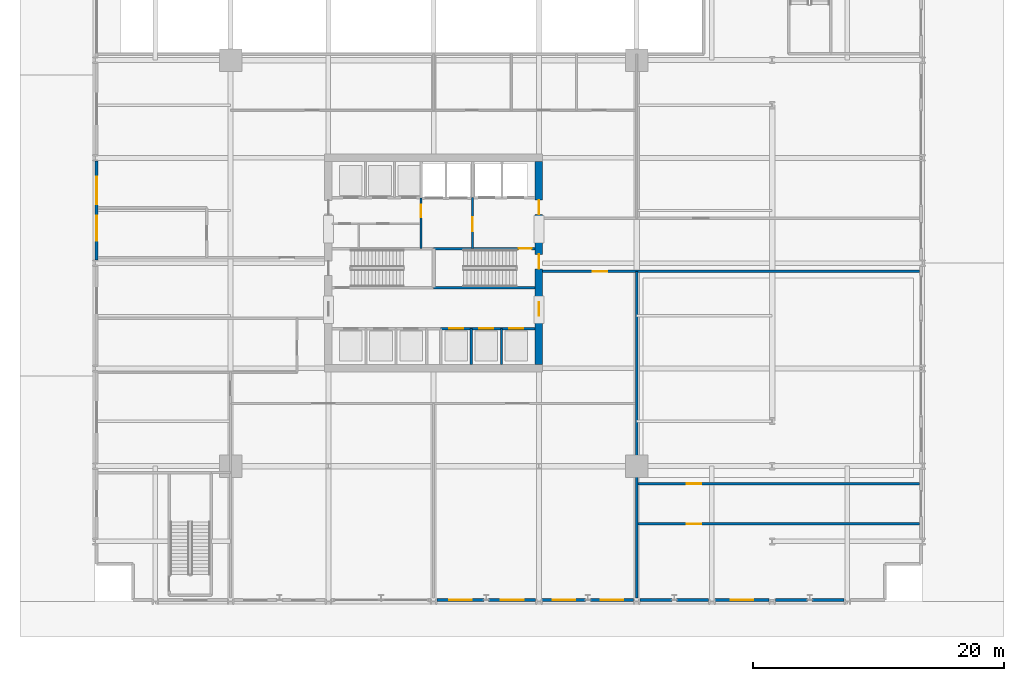
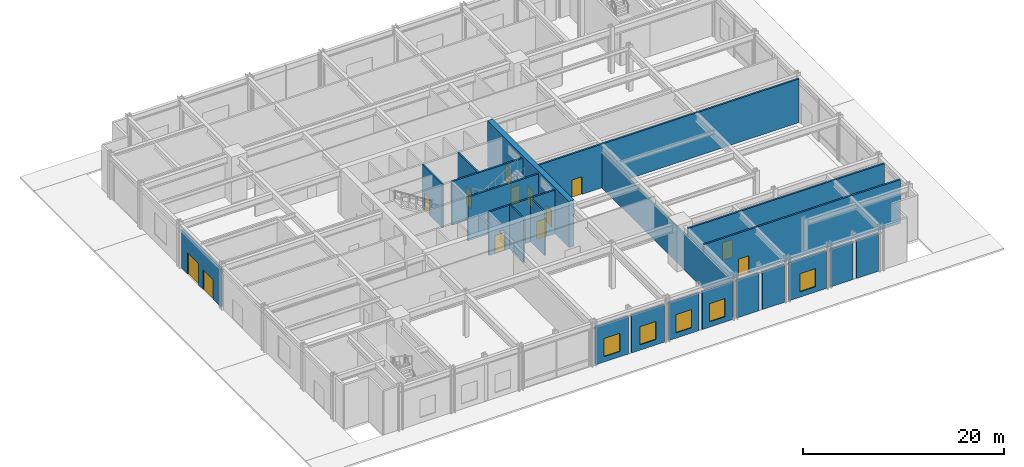
# One storey, part 12 of 21: 22 walls, 14 doors, 5 windows, 19 openings.
"""IFC4 building model written with IfcOpenShell, lengths in metres."""

from ifc_helpers import new_model, si_unit, direction, frame, frame_2d, origin, place, context, subcontext, project, spatial, rectangle, extrude, material, layer, layer_set, type_object, element, fill, save


model = new_model("IFC4")

# Units and contexts
model_context = context("Model", 3, precision=1e-05, world=origin(), true_north=direction((0.0, 1.0)))
body_context = subcontext(model_context, "Body", "Model", "MODEL_VIEW")
ifc_project = project(units=[si_unit("LENGTHUNIT", "METRE"), si_unit("AREAUNIT", "SQUARE_METRE"), si_unit("VOLUMEUNIT", "CUBIC_METRE"), si_unit("PLANEANGLEUNIT", "RADIAN"), si_unit("MASSUNIT", "GRAM", prefix="KILO")], contexts=[model_context])

# Site, building, storey
site_placement = place(None, origin())
site = spatial("IfcSite", under=ifc_project, at=site_placement, CompositionType="ELEMENT")
building_placement = place(site_placement, origin())
building = spatial("IfcBuilding", under=site, at=building_placement, Name="Drelvath Grand Hotel", CompositionType="ELEMENT")
storey_placement = place(building_placement, origin())
storey = spatial("IfcBuildingStorey", under=building, at=storey_placement, Name="L00", CompositionType="ELEMENT", Elevation=0.0)

# Wall, openings, doors
ifc_material_1 = material(Name="Concrete C40/50", Category="concrete")
ifc_layer_1 = layer(ifc_material_1, 0.199951171875)
ifc_layer_set_1 = layer_set([ifc_layer_1], Name="Concrete C40/50")
wall_type_1 = type_object("IfcWallType", Name="Core Hoistway Fire Wall 200", PredefinedType="SOLIDWALL", material=ifc_layer_set_1)
wall_1_placement = place(storey_placement, frame((8.10009765625, 21.780029296875, 0.0), z_axis=(0.0, 0.0, 1.0), x_axis=(-1.0, 0.0, 0.0)))
wall_1 = element("IfcWall", 1, at=wall_1_placement, inside=storey, type_object=wall_type_1, Name="L00 Bank 2 Hoistway Wall", PredefinedType="SOLIDWALL", context=body_context, shape_type="SweptSolid", body=[
    extrude(rectangle(XDim=7.550048828125, YDim=0.199951171875, at=frame_2d((3.77490234375, 0.0))), origin(), (0.0, 0.0, 1.0), 5.300048828125),
])
opening_1_placement = place(wall_1_placement, frame((5.75, 0.0, 0.0)))
opening_1 = element("IfcOpeningElement", 2, at=opening_1_placement, cuts=wall_1, Name="Opening LD-PE-4", PredefinedType="OPENING", context=body_context, shape_type="SweptSolid", body=[
    extrude(rectangle(XDim=1.10009765625, YDim=2.199951171875, at=frame_2d((0.550048828125, 1.10009765625))), frame((0.0, 0.10986328125, 0.0), z_axis=(0.0, -1.0, 0.0), x_axis=(1.0, 0.0, 0.0)), (0.0, 0.0, 1.0), 0.219970703125),
])
opening_2_placement = place(wall_1_placement, frame((3.35009765625, 0.0, 0.0)))
opening_2 = element("IfcOpeningElement", 3, at=opening_2_placement, cuts=wall_1, Name="Opening LD-PE-5", PredefinedType="OPENING", context=body_context, shape_type="SweptSolid", body=[
    extrude(rectangle(XDim=1.10009765625, YDim=2.199951171875, at=frame_2d((0.550048828125, 1.10009765625))), frame((0.0, 0.10986328125, 0.0), z_axis=(0.0, -1.0, 0.0), x_axis=(1.0, 0.0, 0.0)), (0.0, 0.0, 1.0), 0.219970703125),
])
opening_3_placement = place(wall_1_placement, frame((0.949951171875, 0.0, 0.0)))
opening_3 = element("IfcOpeningElement", 4, at=opening_3_placement, cuts=wall_1, Name="Opening LD-PE-6", PredefinedType="OPENING", context=body_context, shape_type="SweptSolid", body=[
    extrude(rectangle(XDim=1.10009765625, YDim=2.199951171875, at=frame_2d((0.550048828125, 1.10009765625))), frame((0.0, 0.10986328125, 0.0), z_axis=(0.0, -1.0, 0.0), x_axis=(1.0, 0.0, 0.0)), (0.0, 0.0, 1.0), 0.219970703125),
])
ifc_material_2 = material(Name="Stainless Steel S355", Category="steel")
door_type_1 = type_object("IfcDoorType", Name="Passenger Lift Sliding Landing Door 1100x2200", OperationType="NOTDEFINED", PredefinedType="DOOR", material=ifc_material_2)
door_1_placement = place(opening_1_placement, origin())
door_1 = element("IfcDoor", 5, at=door_1_placement, inside=storey, type_object=door_type_1, Name="L00 Lift PE-4 Landing Door", OperationType="SLIDING_TO_LEFT", OverallHeight=2.199951171875, OverallWidth=1.10009765625, PredefinedType="DOOR", context=body_context, shape_type="SweptSolid", body=[
    extrude(rectangle(XDim=1.10009765625, YDim=2.199951171875, at=frame_2d((0.550048828125, 1.10009765625))), frame((0.0, 0.02490234375, 0.0), z_axis=(0.0, -1.0, 0.0), x_axis=(1.0, 0.0, 0.0)), (0.0, 0.0, 1.0), 0.050048828125),
])
fill(opening_1, door_1)
door_2_placement = place(opening_2_placement, origin())
door_2 = element("IfcDoor", 6, at=door_2_placement, inside=storey, type_object=door_type_1, Name="L00 Lift PE-5 Landing Door", OperationType="SLIDING_TO_LEFT", OverallHeight=2.199951171875, OverallWidth=1.10009765625, PredefinedType="DOOR", context=body_context, shape_type="SweptSolid", body=[
    extrude(rectangle(XDim=1.10009765625, YDim=2.199951171875, at=frame_2d((0.550048828125, 1.10009765625))), frame((0.0, 0.02490234375, 0.0), z_axis=(0.0, -1.0, 0.0), x_axis=(1.0, 0.0, 0.0)), (0.0, 0.0, 1.0), 0.050048828125),
])
fill(opening_2, door_2)
door_3_placement = place(opening_3_placement, origin())
door_3 = element("IfcDoor", 7, at=door_3_placement, inside=storey, type_object=door_type_1, Name="L00 Lift PE-6 Landing Door", OperationType="SLIDING_TO_LEFT", OverallHeight=2.199951171875, OverallWidth=1.10009765625, PredefinedType="DOOR", context=body_context, shape_type="SweptSolid", body=[
    extrude(rectangle(XDim=1.10009765625, YDim=2.199951171875, at=frame_2d((0.550048828125, 1.10009765625))), frame((0.0, 0.02490234375, 0.0), z_axis=(0.0, -1.0, 0.0), x_axis=(1.0, 0.0, 0.0)), (0.0, 0.0, 1.0), 0.050048828125),
])
fill(opening_3, door_3)

# Wall
ifc_layer_2 = layer(ifc_material_1, 0.199951171875)
ifc_layer_set_2 = layer_set([ifc_layer_2], Name="Concrete C40/50")
wall_type_2 = type_object("IfcWallType", Name="Core Shaft Fire Wall 200", PredefinedType="SOLIDWALL", material=ifc_layer_set_2)
wall_2_placement = place(storey_placement, frame((0.0, 25.0400390625, 0.0), z_axis=(0.0, 0.0, 1.0), x_axis=(1.0, 0.0, 0.0)))
element("IfcWall", 8, at=wall_2_placement, inside=storey, type_object=wall_type_2, Name="L00 Stair ST-2 South Wall", PredefinedType="SOLIDWALL", context=body_context, shape_type="SweptSolid", body=[
    extrude(rectangle(XDim=8.10009765625, YDim=0.199951171875, at=frame_2d((4.050048828125, 0.0))), origin(), (0.0, 0.0, 1.0), 5.300048828125),
])

# Wall, opening, door
wall_3_placement = place(storey_placement, frame((8.10009765625, 28.159912109375, 0.0), z_axis=(0.0, 0.0, 1.0), x_axis=(-1.0, 0.0, 0.0)))
wall_3 = element("IfcWall", 9, at=wall_3_placement, inside=storey, type_object=wall_type_2, Name="L00 Stair ST-2 North Wall", PredefinedType="SOLIDWALL", context=body_context, shape_type="SweptSolid", body=[
    extrude(rectangle(XDim=8.10009765625, YDim=0.199951171875, at=frame_2d((4.050048828125, 0.0))), origin(), (0.0, 0.0, 1.0), 5.300048828125),
])
opening_4_placement = place(wall_3_placement, frame((0.280029296875, 0.0, 0.0)))
opening_4 = element("IfcOpeningElement", 10, at=opening_4_placement, cuts=wall_3, Name="Opening D-L00-002", PredefinedType="OPENING", context=body_context, shape_type="SweptSolid", body=[
    extrude(rectangle(XDim=1.050048828125, YDim=2.10009765625, at=frame_2d((0.52490234375, 1.050048828125))), frame((0.0, 0.10986328125, 0.0), z_axis=(0.0, -1.0, 0.0), x_axis=(1.0, 0.0, 0.0)), (0.0, 0.0, 1.0), 0.219970703125),
])
ifc_material_3 = material(Name="Painted Steel S275", Category="steel")
door_type_2 = type_object("IfcDoorType", Name="Tower Stairwell Fire Door 1050x2100", OperationType="NOTDEFINED", PredefinedType="DOOR", material=ifc_material_3)
door_4_placement = place(opening_4_placement, origin())
door_4 = element("IfcDoor", 11, at=door_4_placement, inside=storey, type_object=door_type_2, Name="L00 Exit Stair ST-2 Door", OperationType="SINGLE_SWING_LEFT", OverallHeight=2.10009765625, OverallWidth=1.050048828125, PredefinedType="DOOR", context=body_context, shape_type="SweptSolid", body=[
    extrude(rectangle(XDim=1.050048828125, YDim=2.10009765625, at=frame_2d((0.52490234375, 1.050048828125))), frame((0.0, 0.02490234375, 0.0), z_axis=(0.0, -1.0, 0.0), x_axis=(1.0, 0.0, 0.0)), (0.0, 0.0, 1.0), 0.050048828125),
])
fill(opening_4, door_4)

wall_4_placement = place(storey_placement, frame((8.699951171875, 26.35009765625, 0.0), z_axis=(0.0, 0.0, 1.0), x_axis=(1.0, 0.0, 0.0)))
wall_4 = element("IfcWall", 12, at=wall_4_placement, inside=storey, type_object=wall_type_2, Name="L00 East Exit Passage South Wall", PredefinedType="SOLIDWALL", context=body_context, shape_type="SweptSolid", body=[
    extrude(rectangle(XDim=30.06005859375, YDim=0.199951171875, at=frame_2d((15.030029296875, 0.0))), origin(), (0.0, 0.0, 1.0), 5.300048828125),
])
opening_5_placement = place(wall_4_placement, frame((4.0, 0.0, 0.0)))
opening_5 = element("IfcOpeningElement", 13, at=opening_5_placement, cuts=wall_4, Name="Opening D-L00-030", PredefinedType="OPENING", context=body_context, shape_type="SweptSolid", body=[
    extrude(rectangle(XDim=1.14990234375, YDim=2.14990234375, at=frame_2d((0.574951171875, 1.074951171875))), frame((0.0, 0.10986328125, 0.0), z_axis=(0.0, -1.0, 0.0), x_axis=(1.0, 0.0, 0.0)), (0.0, 0.0, 1.0), 0.219970703125),
])
door_type_3 = type_object("IfcDoorType", Name="Podium Stairwell Fire Door 1150x2150", OperationType="NOTDEFINED", PredefinedType="DOOR", material=ifc_material_3)
door_5_placement = place(opening_5_placement, origin())
door_5 = element("IfcDoor", 14, at=door_5_placement, inside=storey, type_object=door_type_3, Name="L00 Atrium to East Exit Passage Door", OperationType="SINGLE_SWING_LEFT", OverallHeight=2.14990234375, OverallWidth=1.14990234375, PredefinedType="DOOR", context=body_context, shape_type="SweptSolid", body=[
    extrude(rectangle(XDim=1.14990234375, YDim=2.14990234375, at=frame_2d((0.574951171875, 1.074951171875))), frame((0.0, 0.02490234375, 0.0), z_axis=(0.0, -1.0, 0.0), x_axis=(1.0, 0.0, 0.0)), (0.0, 0.0, 1.0), 0.050048828125),
])
fill(opening_5, door_5)

wall_5_placement = place(storey_placement, frame((16.199951171875, 9.39990234375, 0.0), z_axis=(0.0, 0.0, 1.0), x_axis=(1.0, 0.0, 0.0)))
wall_5 = element("IfcWall", 15, at=wall_5_placement, inside=storey, type_object=wall_type_2, Name="L00 SE Exit Passage North Wall", PredefinedType="SOLIDWALL", context=body_context, shape_type="SweptSolid", body=[
    extrude(rectangle(XDim=22.56005859375, YDim=0.199951171875, at=frame_2d((11.280029296875, 0.0))), origin(), (0.0, 0.0, 1.0), 5.300048828125),
])
opening_6_placement = place(wall_5_placement, frame((4.0, 0.0, 0.0)))
opening_6 = element("IfcOpeningElement", 16, at=opening_6_placement, cuts=wall_5, Name="Opening D-L00-031", PredefinedType="OPENING", context=body_context, shape_type="SweptSolid", body=[
    extrude(rectangle(XDim=1.14990234375, YDim=2.14990234375, at=frame_2d((0.574951171875, 1.074951171875))), frame((0.0, 0.10986328125, 0.0), z_axis=(0.0, -1.0, 0.0), x_axis=(1.0, 0.0, 0.0)), (0.0, 0.0, 1.0), 0.219970703125),
])
door_6_placement = place(opening_6_placement, origin())
door_6 = element("IfcDoor", 17, at=door_6_placement, inside=storey, type_object=door_type_3, Name="L00 Atrium to SE Exit Passage Door", OperationType="SINGLE_SWING_RIGHT", OverallHeight=2.14990234375, OverallWidth=1.14990234375, PredefinedType="DOOR", context=body_context, shape_type="SweptSolid", body=[
    extrude(rectangle(XDim=1.14990234375, YDim=2.14990234375, at=frame_2d((0.574951171875, 1.074951171875))), frame((0.0, 0.02490234375, 0.0), z_axis=(0.0, -1.0, 0.0), x_axis=(1.0, 0.0, 0.0)), (0.0, 0.0, 1.0), 0.050048828125),
])
fill(opening_6, door_6)

wall_6_placement = place(storey_placement, frame((16.199951171875, 6.199951171875, 0.0), z_axis=(0.0, 0.0, 1.0), x_axis=(1.0, 0.0, 0.0)))
wall_6 = element("IfcWall", 18, at=wall_6_placement, inside=storey, type_object=wall_type_2, Name="L00 SE Exit Passage South Wall", PredefinedType="SOLIDWALL", context=body_context, shape_type="SweptSolid", body=[
    extrude(rectangle(XDim=22.56005859375, YDim=0.199951171875, at=frame_2d((11.280029296875, 0.0))), origin(), (0.0, 0.0, 1.0), 5.300048828125),
])
opening_7_placement = place(wall_6_placement, frame((4.0, 0.0, 0.0)))
opening_7 = element("IfcOpeningElement", 19, at=opening_7_placement, cuts=wall_6, Name="Opening D-L00-034", PredefinedType="OPENING", context=body_context, shape_type="SweptSolid", body=[
    extrude(rectangle(XDim=1.14990234375, YDim=2.14990234375, at=frame_2d((0.574951171875, 1.074951171875))), frame((0.0, 0.10986328125, 0.0), z_axis=(0.0, -1.0, 0.0), x_axis=(1.0, 0.0, 0.0)), (0.0, 0.0, 1.0), 0.219970703125),
])
door_7_placement = place(opening_7_placement, origin())
door_7 = element("IfcDoor", 20, at=door_7_placement, inside=storey, type_object=door_type_3, Name="L00 Corner Boutique Exit Door", OperationType="SINGLE_SWING_LEFT", OverallHeight=2.14990234375, OverallWidth=1.14990234375, PredefinedType="DOOR", context=body_context, shape_type="SweptSolid", body=[
    extrude(rectangle(XDim=1.14990234375, YDim=2.14990234375, at=frame_2d((0.574951171875, 1.074951171875))), frame((0.0, 0.02490234375, 0.0), z_axis=(0.0, -1.0, 0.0), x_axis=(1.0, 0.0, 0.0)), (0.0, 0.0, 1.0), 0.050048828125),
])
fill(opening_7, door_7)

# Walls
ifc_material_4 = material(Name="Gypsum Fireboard Partition")
ifc_layer_3 = layer(ifc_material_4, 0.1650390625)
ifc_layer_set_3 = layer_set([ifc_layer_3], Name="Gypsum Fireboard Partition")
wall_type_3 = type_object("IfcWallType", Name="Core Shaft Partition 165", PredefinedType="PARTITIONING", material=ifc_layer_set_3)
for number, where, z_axis, x_axis, name in (
    (21, (3.0, 18.89990234375, 0.0), (0.0, 0.0, 1.0), (0.0, 1.0, 0.0), "L00 Lift PE-4/5 Divider"),
    (22, (5.39990234375, 18.89990234375, 0.0), (0.0, 0.0, 1.0), (0.0, 1.0, 0.0), "L00 Lift PE-5/6 Divider"),
):
    element("IfcWall", number, at=place(storey_placement, frame(where, z_axis=z_axis, x_axis=x_axis)), inside=storey, type_object=wall_type_3, Name=name, PredefinedType="PARTITIONING", context=body_context, shape_type="SweptSolid", body=[
        extrude(rectangle(XDim=2.880126953125, YDim=0.1650390625, at=frame_2d((1.43994140625, 0.0))), origin(), (0.0, 0.0, 1.0), 5.300048828125),
    ])

# Wall, opening, door
ifc_layer_4 = layer(ifc_material_4, 0.179931640625)
ifc_layer_set_4 = layer_set([ifc_layer_4], Name="Gypsum Fireboard Partition")
wall_type_4 = type_object("IfcWallType", Name="FSAE Smoke Lobby Fire Wall 180", PredefinedType="SOLIDWALL", material=ifc_layer_set_4)
wall_7_placement = place(storey_placement, frame((3.10009765625, 28.159912109375, 0.0), z_axis=(0.0, 0.0, 1.0), x_axis=(0.0, 1.0, 0.0)))
wall_7 = element("IfcWall", 23, at=wall_7_placement, inside=storey, type_object=wall_type_4, Name="L00 FSAE Smoke Lobby West Wall", PredefinedType="SOLIDWALL", context=body_context, shape_type="SweptSolid", body=[
    extrude(rectangle(XDim=4.06005859375, YDim=0.179931640625, at=frame_2d((2.030029296875, 0.0))), origin(), (0.0, 0.0, 1.0), 5.300048828125),
])
opening_8_placement = place(wall_7_placement, frame((1.39990234375, 0.0, 0.0)))
opening_8 = element("IfcOpeningElement", 24, at=opening_8_placement, cuts=wall_7, Name="Opening D-L00-007", PredefinedType="OPENING", context=body_context, shape_type="SweptSolid", body=[
    extrude(rectangle(XDim=1.1201171875, YDim=2.10009765625, at=frame_2d((0.56005859375, 1.050048828125))), frame((0.0, 0.099853515625, 0.0), z_axis=(0.0, -1.0, 0.0), x_axis=(1.0, 0.0, 0.0)), (0.0, 0.0, 1.0), 0.199951171875),
])
door_type_4 = type_object("IfcDoorType", Name="FSAE Smoke Lobby Fire Door 1120x2100", OperationType="NOTDEFINED", PredefinedType="DOOR", material=ifc_material_3)
door_8_placement = place(opening_8_placement, origin())
door_8 = element("IfcDoor", 25, at=door_8_placement, inside=storey, type_object=door_type_4, Name="L00 FSAE Lobby Service Vestibule Door", OperationType="SINGLE_SWING_RIGHT", OverallHeight=2.10009765625, OverallWidth=1.1201171875, PredefinedType="DOOR", context=body_context, shape_type="SweptSolid", body=[
    extrude(rectangle(XDim=1.1201171875, YDim=2.10009765625, at=frame_2d((0.56005859375, 1.050048828125))), frame((0.0, 0.02490234375, 0.0), z_axis=(0.0, -1.0, 0.0), x_axis=(1.0, 0.0, 0.0)), (0.0, 0.0, 1.0), 0.050048828125),
])
fill(opening_8, door_8)

wall_8_placement = place(storey_placement, frame((-1.0, 28.159912109375, 0.0), z_axis=(0.0, 0.0, 1.0), x_axis=(0.0, 1.0, 0.0)))
wall_8 = element("IfcWall", 26, at=wall_8_placement, inside=storey, type_object=wall_type_4, Name="L00 Service Vestibule West Wall", PredefinedType="SOLIDWALL", context=body_context, shape_type="SweptSolid", body=[
    extrude(rectangle(XDim=4.02001953125, YDim=0.179931640625, at=frame_2d((2.010009765625, 0.0))), origin(), (0.0, 0.0, 1.0), 5.300048828125),
])
opening_9_placement = place(wall_8_placement, frame((2.489990234375, 0.0, 0.0)))
opening_9 = element("IfcOpeningElement", 27, at=opening_9_placement, cuts=wall_8, Name="Opening D-L00-011", PredefinedType="OPENING", context=body_context, shape_type="SweptSolid", body=[
    extrude(rectangle(XDim=1.0, YDim=2.10009765625, at=frame_2d((0.5, 1.050048828125))), frame((0.0, 0.099853515625, 0.0), z_axis=(0.0, -1.0, 0.0), x_axis=(1.0, 0.0, 0.0)), (0.0, 0.0, 1.0), 0.199951171875),
])
door_type_5 = type_object("IfcDoorType", Name="Core Service Fire Door 1000x2100", OperationType="NOTDEFINED", PredefinedType="DOOR", material=ifc_material_3)
door_9_placement = place(opening_9_placement, origin())
door_9 = element("IfcDoor", 28, at=door_9_placement, inside=storey, type_object=door_type_5, Name="L00 Service Vestibule West Door", OperationType="SINGLE_SWING_LEFT", OverallHeight=2.10009765625, OverallWidth=1.0, PredefinedType="DOOR", context=body_context, shape_type="SweptSolid", body=[
    extrude(rectangle(XDim=1.0, YDim=2.10009765625, at=frame_2d((0.5, 1.050048828125))), frame((0.0, 0.02490234375, 0.0), z_axis=(0.0, -1.0, 0.0), x_axis=(1.0, 0.0, 0.0)), (0.0, 0.0, 1.0), 0.050048828125),
])
fill(opening_9, door_9)

# Wall, openings, doors
ifc_material_5 = material(Name="Concrete f'c 70 MPa", Category="concrete")
ifc_layer_5 = layer(ifc_material_5, 0.60009765625)
ifc_layer_set_5 = layer_set([ifc_layer_5], Name="Concrete f'c 70 MPa")
wall_type_5 = type_object("IfcWallType", Name="Lower Core RC Shear Wall 600", PredefinedType="SHEAR", material=ifc_layer_set_5)
wall_9_placement = place(storey_placement, frame((8.39990234375, 35.10009765625, 0.0), z_axis=(0.0, 0.0, 1.0), x_axis=(0.0, -1.0, 0.0)))
wall_9 = element("IfcWall", 29, at=wall_9_placement, inside=storey, type_object=wall_type_5, Name="L00 Central Core Shear Wall E", PredefinedType="SHEAR", context=body_context, shape_type="SweptSolid", body=[
    extrude(rectangle(XDim=16.2001953125, YDim=0.60009765625, at=frame_2d((8.10009765625, 0.0))), origin(), (0.0, 0.0, 1.0), 5.60009765625),
])
opening_10_placement = place(wall_9_placement, frame((7.39990234375, 0.0, 0.0)))
opening_10 = element("IfcOpeningElement", 30, at=opening_10_placement, cuts=wall_9, Name="Opening SD-ST2-L00", PredefinedType="OPENING", context=body_context, shape_type="SweptSolid", body=[
    extrude(rectangle(XDim=1.14990234375, YDim=2.14990234375, at=frame_2d((0.574951171875, 1.074951171875))), frame((0.0, 0.31005859375, 0.0), z_axis=(0.0, -1.0, 0.0), x_axis=(1.0, 0.0, 0.0)), (0.0, 0.0, 1.0), 0.6201171875),
])
opening_11_placement = place(wall_9_placement, frame((3.080078125, 0.0, 0.0)))
opening_11 = element("IfcOpeningElement", 31, at=opening_11_placement, cuts=wall_9, Name="Opening D-L00-008", PredefinedType="OPENING", context=body_context, shape_type="SweptSolid", body=[
    extrude(rectangle(XDim=1.1201171875, YDim=2.10009765625, at=frame_2d((0.56005859375, 1.050048828125))), frame((0.0, 0.31005859375, 0.0), z_axis=(0.0, -1.0, 0.0), x_axis=(1.0, 0.0, 0.0)), (0.0, 0.0, 1.0), 0.6201171875),
])
opening_12_placement = place(wall_9_placement, frame((11.219970703125, 0.0, 0.0)))
opening_12 = element("IfcOpeningElement", 32, at=opening_12_placement, cuts=wall_9, Name="Opening D-L00-025", PredefinedType="OPENING", context=body_context, shape_type="SweptSolid", body=[
    extrude(rectangle(XDim=1.080078125, YDim=2.0400390625, at=frame_2d((0.5400390625, 1.02001953125))), frame((0.0, 0.31005859375, 0.0), z_axis=(0.0, -1.0, 0.0), x_axis=(1.0, 0.0, 0.0)), (0.0, 0.0, 1.0), 0.6201171875),
])
door_type_6 = type_object("IfcDoorType", Name="Core Corridor Fire Door 1080x2100", OperationType="NOTDEFINED", PredefinedType="DOOR", material=ifc_material_3)
door_10_placement = place(opening_12_placement, origin())
door_10 = element("IfcDoor", 33, at=door_10_placement, inside=storey, type_object=door_type_6, Name="L00 South Lift Lobby East Door", OperationType="SINGLE_SWING_RIGHT", OverallHeight=2.0400390625, OverallWidth=1.080078125, PredefinedType="DOOR", context=body_context, shape_type="SweptSolid", body=[
    extrude(rectangle(XDim=1.080078125, YDim=2.0400390625, at=frame_2d((0.5400390625, 1.02001953125))), frame((0.0, 0.02490234375, 0.0), z_axis=(0.0, -1.0, 0.0), x_axis=(1.0, 0.0, 0.0)), (0.0, 0.0, 1.0), 0.050048828125),
])
fill(opening_12, door_10)
door_11_placement = place(opening_11_placement, origin())
door_11 = element("IfcDoor", 34, at=door_11_placement, inside=storey, type_object=door_type_4, Name="L00 FSAE Lobby East Corridor Door", OperationType="SINGLE_SWING_LEFT", OverallHeight=2.10009765625, OverallWidth=1.1201171875, PredefinedType="DOOR", context=body_context, shape_type="SweptSolid", body=[
    extrude(rectangle(XDim=1.1201171875, YDim=2.10009765625, at=frame_2d((0.56005859375, 1.050048828125))), frame((0.0, 0.02490234375, 0.0), z_axis=(0.0, -1.0, 0.0), x_axis=(1.0, 0.0, 0.0)), (0.0, 0.0, 1.0), 0.050048828125),
])
fill(opening_11, door_11)
door_12_placement = place(opening_10_placement, origin())
door_12 = element("IfcDoor", 35, at=door_12_placement, inside=storey, type_object=door_type_3, Name="L00 Exit Stair ST-2 Discharge Door", OperationType="SINGLE_SWING_LEFT", OverallHeight=2.14990234375, OverallWidth=1.14990234375, PredefinedType="DOOR", context=body_context, shape_type="SweptSolid", body=[
    extrude(rectangle(XDim=1.14990234375, YDim=2.14990234375, at=frame_2d((0.574951171875, 1.074951171875))), frame((0.0, 0.02490234375, 0.0), z_axis=(0.0, -1.0, 0.0), x_axis=(1.0, 0.0, 0.0)), (0.0, 0.0, 1.0), 0.050048828125),
])
fill(opening_10, door_12)

ifc_material_6 = material(Name="Insulated Granite Rainscreen Assembly", Category="masonry")
ifc_layer_6 = layer(ifc_material_6, 0.239990234375)
ifc_layer_set_6 = layer_set([ifc_layer_6], Name="Insulated Granite Rainscreen Assembly")
wall_type_6 = type_object("IfcWallType", Name="Podium Granite Rainscreen Exterior Wall 240", PredefinedType="STANDARD", material=ifc_layer_set_6)
wall_10_placement = place(storey_placement, frame((-26.8798828125, 27.2578125, 0.0), z_axis=(0.0, 0.0, 1.0), x_axis=(0.0, 1.0, 0.0)))
wall_10 = element("IfcWall", 36, at=wall_10_placement, inside=storey, type_object=wall_type_6, Name="L00 West Podium Granite Wall 5", PredefinedType="STANDARD", context=body_context, shape_type="SweptSolid", body=[
    extrude(rectangle(XDim=7.884521484375, YDim=0.239990234375, at=frame_2d((3.9423828125, 0.0))), origin(), (0.0, 0.0, 1.0), 4.6044921875),
])
opening_13_placement = place(wall_10_placement, frame((1.542236328125, 0.0, 0.0)))
opening_13 = element("IfcOpeningElement", 37, at=opening_13_placement, cuts=wall_10, Name="Opening EX-06", PredefinedType="OPENING", context=body_context, shape_type="SweptSolid", body=[
    extrude(rectangle(XDim=2.0, YDim=2.39990234375, at=frame_2d((1.0, 1.199951171875))), frame((0.0, 0.1298828125, 0.0), z_axis=(0.0, -1.0, 0.0), x_axis=(1.0, 0.0, 0.0)), (0.0, 0.0, 1.0), 0.260009765625),
])
opening_14_placement = place(wall_10_placement, frame((4.4423828125, 0.0, 0.0)))
opening_14 = element("IfcOpeningElement", 38, at=opening_14_placement, cuts=wall_10, Name="Opening ENT-02", PredefinedType="OPENING", context=body_context, shape_type="SweptSolid", body=[
    extrude(rectangle(XDim=2.199951171875, YDim=2.60009765625, at=frame_2d((1.10009765625, 1.300048828125))), frame((0.0, 0.1298828125, 0.0), z_axis=(0.0, -1.0, 0.0), x_axis=(1.0, 0.0, 0.0)), (0.0, 0.0, 1.0), 0.260009765625),
])
ifc_material_7 = material(Name="Bronze Anodised Thermally Broken Glass Door", Category="glass")
door_type_7 = type_object("IfcDoorType", Name="Grand Entrance Glazed Double Door 2200x2600", OperationType="DOUBLE_DOOR_SINGLE_SWING", PredefinedType="DOOR", material=ifc_material_7)
door_13_placement = place(opening_14_placement, origin())
door_13 = element("IfcDoor", 39, at=door_13_placement, inside=storey, type_object=door_type_7, Name="L00 West Porte-Cochere Entrance Door ENT-02", OperationType="DOUBLE_DOOR_SINGLE_SWING", OverallHeight=2.60009765625, OverallWidth=2.199951171875, PredefinedType="DOOR", context=body_context, shape_type="SweptSolid", body=[
    extrude(rectangle(XDim=2.199951171875, YDim=2.60009765625, at=frame_2d((1.10009765625, 1.300048828125))), frame((0.0, 0.02490234375, 0.0), z_axis=(0.0, -1.0, 0.0), x_axis=(1.0, 0.0, 0.0)), (0.0, 0.0, 1.0), 0.050048828125),
])
fill(opening_14, door_13)
ifc_material_8 = material(Name="Bronze Anodised Thermally Broken Aluminium", Category="aluminium")
door_type_8 = type_object("IfcDoorType", Name="Street Final Exit Double Door 2000x2400", OperationType="DOUBLE_DOOR_SINGLE_SWING", PredefinedType="DOOR", material=ifc_material_8)
door_14_placement = place(opening_13_placement, origin())
door_14 = element("IfcDoor", 40, at=door_14_placement, inside=storey, type_object=door_type_8, Name="L00 Northwest Final Exit Discharge Door EX-06", OperationType="DOUBLE_DOOR_SINGLE_SWING", OverallHeight=2.39990234375, OverallWidth=2.0, PredefinedType="DOOR", context=body_context, shape_type="SweptSolid", body=[
    extrude(rectangle(XDim=2.0, YDim=2.39990234375, at=frame_2d((1.0, 1.199951171875))), frame((0.0, 0.02490234375, 0.0), z_axis=(0.0, -1.0, 0.0), x_axis=(1.0, 0.0, 0.0)), (0.0, 0.0, 1.0), 0.050048828125),
])
fill(opening_13, door_14)

# Wall, opening, window
wall_11_placement = place(storey_placement, frame((4.00732421875, 0.1201171875, 0.0), z_axis=(0.0, 0.0, 1.0), x_axis=(-1.0, 0.0, 0.0)))
wall_11 = element("IfcWall", 41, at=wall_11_placement, inside=storey, type_object=wall_type_6, Name="L00 South Podium Granite Wall 7", PredefinedType="STANDARD", context=body_context, shape_type="SweptSolid", body=[
    extrude(rectangle(XDim=3.74951171875, YDim=0.239990234375, at=frame_2d((1.874755859375, 0.0))), origin(), (0.0, 0.0, 1.0), 4.6044921875),
])
opening_15_placement = place(wall_11_placement, frame((0.974853515625, 0.0, 0.64990234375)))
opening_15 = element("IfcOpeningElement", 42, at=opening_15_placement, cuts=wall_11, Name="Opening W-02", PredefinedType="OPENING", context=body_context, shape_type="SweptSolid", body=[
    extrude(rectangle(XDim=1.800048828125, YDim=2.199951171875, at=frame_2d((0.89990234375, 1.10009765625))), frame((0.0, 0.1298828125, 0.0), z_axis=(0.0, -1.0, 0.0), x_axis=(1.0, 0.0, 0.0)), (0.0, 0.0, 1.0), 0.260009765625),
])
ifc_material_9 = material(Name="Bronze Anodised Low-E Triple Glazing", Category="glass")
window_type = type_object("IfcWindowType", Name="Chicago Double-Pane Podium Window 1800x2400", PartitioningType="DOUBLE_PANEL_VERTICAL", PredefinedType="WINDOW", material=ifc_material_9)
window_1_placement = place(opening_15_placement, origin())
window_1 = element("IfcWindow", 43, at=window_1_placement, inside=storey, type_object=window_type, Name="L00 South Chicago Window 7", OverallHeight=2.199951171875, OverallWidth=1.800048828125, PartitioningType="SINGLE_PANEL", PredefinedType="WINDOW", context=body_context, shape_type="SweptSolid", body=[
    extrude(rectangle(XDim=1.800048828125, YDim=2.199951171875, at=frame_2d((0.89990234375, 1.10009765625))), frame((0.0, 0.030029296875, 0.0), z_axis=(0.0, -1.0, 0.0), x_axis=(1.0, 0.0, 0.0)), (0.0, 0.0, 1.0), 0.06005859375),
])
fill(opening_15, window_1)

wall_12_placement = place(storey_placement, frame((8.142333984375, 0.1201171875, 0.0), z_axis=(0.0, 0.0, 1.0), x_axis=(-1.0, 0.0, 0.0)))
wall_12 = element("IfcWall", 44, at=wall_12_placement, inside=storey, type_object=wall_type_6, Name="L00 South Podium Granite Wall 8", PredefinedType="STANDARD", context=body_context, shape_type="SweptSolid", body=[
    extrude(rectangle(XDim=3.749755859375, YDim=0.239990234375, at=frame_2d((1.875, 0.0))), origin(), (0.0, 0.0, 1.0), 4.6044921875),
])
opening_16_placement = place(wall_12_placement, frame((0.974853515625, 0.0, 0.64990234375)))
opening_16 = element("IfcOpeningElement", 45, at=opening_16_placement, cuts=wall_12, Name="Opening W-02", PredefinedType="OPENING", context=body_context, shape_type="SweptSolid", body=[
    extrude(rectangle(XDim=1.800048828125, YDim=2.199951171875, at=frame_2d((0.89990234375, 1.10009765625))), frame((0.0, 0.1298828125, 0.0), z_axis=(0.0, -1.0, 0.0), x_axis=(1.0, 0.0, 0.0)), (0.0, 0.0, 1.0), 0.260009765625),
])
window_2_placement = place(opening_16_placement, origin())
window_2 = element("IfcWindow", 46, at=window_2_placement, inside=storey, type_object=window_type, Name="L00 South Chicago Window 8", OverallHeight=2.199951171875, OverallWidth=1.800048828125, PartitioningType="SINGLE_PANEL", PredefinedType="WINDOW", context=body_context, shape_type="SweptSolid", body=[
    extrude(rectangle(XDim=1.800048828125, YDim=2.199951171875, at=frame_2d((0.89990234375, 1.10009765625))), frame((0.0, 0.030029296875, 0.0), z_axis=(0.0, -1.0, 0.0), x_axis=(1.0, 0.0, 0.0)), (0.0, 0.0, 1.0), 0.06005859375),
])
fill(opening_16, window_2)

wall_13_placement = place(storey_placement, frame((12.107421875, 0.1201171875, 0.0), z_axis=(0.0, 0.0, 1.0), x_axis=(-1.0, 0.0, 0.0)))
wall_13 = element("IfcWall", 47, at=wall_13_placement, inside=storey, type_object=wall_type_6, Name="L00 South Podium Granite Wall 9", PredefinedType="STANDARD", context=body_context, shape_type="SweptSolid", body=[
    extrude(rectangle(XDim=3.44970703125, YDim=0.239990234375, at=frame_2d((1.724853515625, 0.0))), origin(), (0.0, 0.0, 1.0), 4.6044921875),
])
opening_17_placement = place(wall_13_placement, frame((0.82470703125, 0.0, 0.64990234375)))
opening_17 = element("IfcOpeningElement", 48, at=opening_17_placement, cuts=wall_13, Name="Opening W-02", PredefinedType="OPENING", context=body_context, shape_type="SweptSolid", body=[
    extrude(rectangle(XDim=1.800048828125, YDim=2.199951171875, at=frame_2d((0.89990234375, 1.10009765625))), frame((0.0, 0.1298828125, 0.0), z_axis=(0.0, -1.0, 0.0), x_axis=(1.0, 0.0, 0.0)), (0.0, 0.0, 1.0), 0.260009765625),
])
window_3_placement = place(opening_17_placement, origin())
window_3 = element("IfcWindow", 49, at=window_3_placement, inside=storey, type_object=window_type, Name="L00 South Chicago Window 9", OverallHeight=2.199951171875, OverallWidth=1.800048828125, PartitioningType="SINGLE_PANEL", PredefinedType="WINDOW", context=body_context, shape_type="SweptSolid", body=[
    extrude(rectangle(XDim=1.800048828125, YDim=2.199951171875, at=frame_2d((0.89990234375, 1.10009765625))), frame((0.0, 0.030029296875, 0.0), z_axis=(0.0, -1.0, 0.0), x_axis=(1.0, 0.0, 0.0)), (0.0, 0.0, 1.0), 0.06005859375),
])
fill(opening_17, window_3)

wall_14_placement = place(storey_placement, frame((15.9423828125, 0.1201171875, 0.0), z_axis=(0.0, 0.0, 1.0), x_axis=(-1.0, 0.0, 0.0)))
wall_14 = element("IfcWall", 50, at=wall_14_placement, inside=storey, type_object=wall_type_6, Name="L00 South Podium Granite Wall 10", PredefinedType="STANDARD", context=body_context, shape_type="SweptSolid", body=[
    extrude(rectangle(XDim=3.44970703125, YDim=0.239990234375, at=frame_2d((1.724853515625, 0.0))), origin(), (0.0, 0.0, 1.0), 4.6044921875),
])
opening_18_placement = place(wall_14_placement, frame((0.82470703125, 0.0, 0.64990234375)))
opening_18 = element("IfcOpeningElement", 51, at=opening_18_placement, cuts=wall_14, Name="Opening W-02", PredefinedType="OPENING", context=body_context, shape_type="SweptSolid", body=[
    extrude(rectangle(XDim=1.800048828125, YDim=2.199951171875, at=frame_2d((0.89990234375, 1.10009765625))), frame((0.0, 0.1298828125, 0.0), z_axis=(0.0, -1.0, 0.0), x_axis=(1.0, 0.0, 0.0)), (0.0, 0.0, 1.0), 0.260009765625),
])
window_4_placement = place(opening_18_placement, origin())
window_4 = element("IfcWindow", 52, at=window_4_placement, inside=storey, type_object=window_type, Name="L00 South Chicago Window 10", OverallHeight=2.199951171875, OverallWidth=1.800048828125, PartitioningType="SINGLE_PANEL", PredefinedType="WINDOW", context=body_context, shape_type="SweptSolid", body=[
    extrude(rectangle(XDim=1.800048828125, YDim=2.199951171875, at=frame_2d((0.89990234375, 1.10009765625))), frame((0.0, 0.030029296875, 0.0), z_axis=(0.0, -1.0, 0.0), x_axis=(1.0, 0.0, 0.0)), (0.0, 0.0, 1.0), 0.06005859375),
])
fill(opening_18, window_4)

# Walls
wall_15_placement = place(storey_placement, frame((19.00732421875, 0.1201171875, 0.0), z_axis=(0.0, 0.0, 1.0), x_axis=(-1.0, 0.0, 0.0)))
element("IfcWall", 53, at=wall_15_placement, inside=storey, type_object=wall_type_6, Name="L00 South Podium Granite Wall 11", PredefinedType="STANDARD", context=body_context, shape_type="SweptSolid", body=[
    extrude(rectangle(XDim=2.549560546875, YDim=0.239990234375, at=frame_2d((1.27490234375, 0.0))), origin(), (0.0, 0.0, 1.0), 4.6044921875),
])
wall_16_placement = place(storey_placement, frame((21.9423828125, 0.1201171875, 0.0), z_axis=(0.0, 0.0, 1.0), x_axis=(-1.0, 0.0, 0.0)))
element("IfcWall", 54, at=wall_16_placement, inside=storey, type_object=wall_type_6, Name="L00 South Podium Granite Wall 12", PredefinedType="STANDARD", context=body_context, shape_type="SweptSolid", body=[
    extrude(rectangle(XDim=2.5498046875, YDim=0.239990234375, at=frame_2d((1.27490234375, 0.0))), origin(), (0.0, 0.0, 1.0), 4.6044921875),
])

# Wall, opening, window
wall_17_placement = place(storey_placement, frame((26.7421875, 0.1201171875, 0.0), z_axis=(0.0, 0.0, 1.0), x_axis=(-1.0, 0.0, 0.0)))
wall_17 = element("IfcWall", 55, at=wall_17_placement, inside=storey, type_object=wall_type_6, Name="L00 South Podium Granite Wall 13", PredefinedType="STANDARD", context=body_context, shape_type="SweptSolid", body=[
    extrude(rectangle(XDim=4.284423828125, YDim=0.239990234375, at=frame_2d((2.14208984375, 0.0))), origin(), (0.0, 0.0, 1.0), 4.6044921875),
])
opening_19_placement = place(wall_17_placement, frame((1.2421875, 0.0, 0.64990234375)))
opening_19 = element("IfcOpeningElement", 56, at=opening_19_placement, cuts=wall_17, Name="Opening W-02", PredefinedType="OPENING", context=body_context, shape_type="SweptSolid", body=[
    extrude(rectangle(XDim=1.800048828125, YDim=2.199951171875, at=frame_2d((0.89990234375, 1.10009765625))), frame((0.0, 0.1298828125, 0.0), z_axis=(0.0, -1.0, 0.0), x_axis=(1.0, 0.0, 0.0)), (0.0, 0.0, 1.0), 0.260009765625),
])
window_5_placement = place(opening_19_placement, origin())
window_5 = element("IfcWindow", 57, at=window_5_placement, inside=storey, type_object=window_type, Name="L00 South Chicago Window 13", OverallHeight=2.199951171875, OverallWidth=1.800048828125, PartitioningType="SINGLE_PANEL", PredefinedType="WINDOW", context=body_context, shape_type="SweptSolid", body=[
    extrude(rectangle(XDim=1.800048828125, YDim=2.199951171875, at=frame_2d((0.89990234375, 1.10009765625))), frame((0.0, 0.030029296875, 0.0), z_axis=(0.0, -1.0, 0.0), x_axis=(1.0, 0.0, 0.0)), (0.0, 0.0, 1.0), 0.06005859375),
])
fill(opening_19, window_5)

# Walls
for number, where, z_axis, x_axis, name in (
    (58, (29.807373046875, 0.1201171875, 0.0), (0.0, 0.0, 1.0), (-1.0, 0.0, 0.0), "L00 South Podium Granite Wall 14"),
    (59, (32.7421875, 0.1201171875, 0.0), (0.0, 0.0, 1.0), (-1.0, 0.0, 0.0), "L00 South Podium Granite Wall 15"),
):
    element("IfcWall", number, at=place(storey_placement, frame(where, z_axis=z_axis, x_axis=x_axis)), inside=storey, type_object=wall_type_6, Name=name, PredefinedType="STANDARD", context=body_context, shape_type="SweptSolid", body=[
        extrude(rectangle(XDim=2.549560546875, YDim=0.239990234375, at=frame_2d((1.27490234375, 0.0))), origin(), (0.0, 0.0, 1.0), 4.6044921875),
    ])
ifc_material_10 = material(Name="Gypsum Acoustic Partition")
ifc_layer_7 = layer(ifc_material_10, 0.1650390625)
ifc_layer_set_7 = layer_set([ifc_layer_7], Name="Gypsum Acoustic Partition")
wall_type_7 = type_object("IfcWallType", Name="Suite Demising Wall 165", PredefinedType="PARTITIONING", material=ifc_layer_set_7)
wall_18_placement = place(storey_placement, frame((16.199951171875, 0.300048828125, 0.0), z_axis=(0.0, 0.0, 1.0), x_axis=(0.0, 1.0, 0.0)))
element("IfcWall", 60, at=wall_18_placement, inside=storey, type_object=wall_type_7, Name="L00 Atrium West Screen Wall", PredefinedType="PARTITIONING", context=body_context, shape_type="SweptSolid", body=[
    extrude(rectangle(XDim=26.050048828125, YDim=0.1650390625, at=frame_2d((13.02490234375, 0.0))), origin(), (0.0, 0.0, 1.0), 4.3369140625),
])

save(model, "model.ifc")
